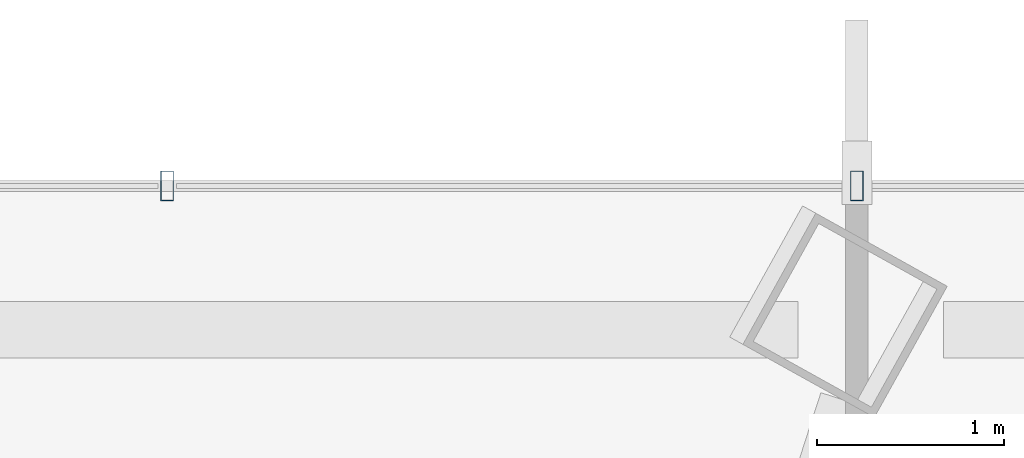
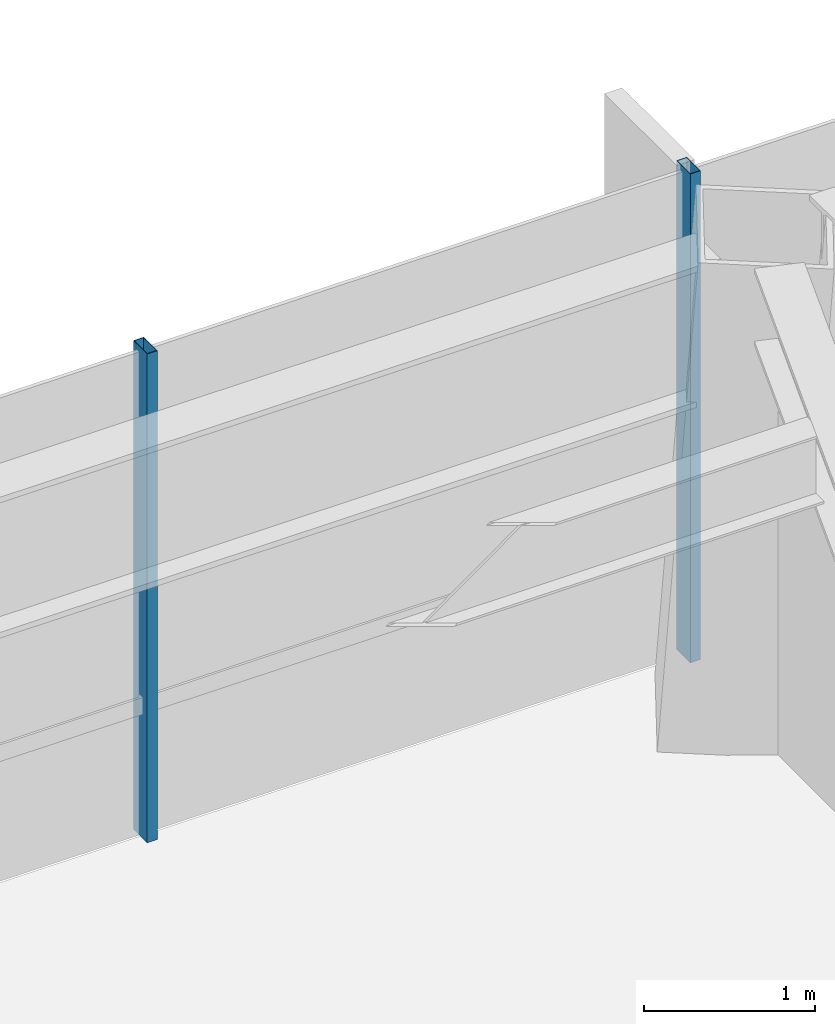
# One storey, part 17 of 30: 2 members, 1 element without a shape of its own.
"""IFC4 building model written with IfcOpenShell, lengths in metres."""

from ifc_helpers import new_model, si_unit, direction, frame, origin, origin_2d, place, context, subcontext, project, spatial, hollow_rectangle, extrude, material, layer, layer_set, material_profile, profile_set, type_object, element, aggregate, save


model = new_model("IFC4")

# Units and contexts
model_context = context("Model", 3, precision=1e-05, world=origin(), true_north=direction((0.0, 1.0)))
body_context = subcontext(model_context, "Body", "Model", "MODEL_VIEW")
ifc_project = project(units=[si_unit("LENGTHUNIT", "METRE"), si_unit("AREAUNIT", "SQUARE_METRE"), si_unit("VOLUMEUNIT", "CUBIC_METRE"), si_unit("PLANEANGLEUNIT", "RADIAN"), si_unit("MASSUNIT", "GRAM", prefix="KILO")], contexts=[model_context])

# Site, building, storey
site_placement = place(None, origin())
site = spatial("IfcSite", under=ifc_project, at=site_placement, CompositionType="ELEMENT")
building_placement = place(site_placement, origin())
building = spatial("IfcBuilding", under=site, at=building_placement, Name="Zarrinselat Tower", CompositionType="ELEMENT")
storey_placement = place(building_placement, frame((0.0, 0.0, 130.89990234375)))
storey = spatial("IfcBuildingStorey", under=building, at=storey_placement, Name="L31", CompositionType="ELEMENT", Elevation=130.89990234375)

# Curtain wall, members
ifc_material_1 = material(Name="Extruded Aluminium Alloy EN AW-6063 T6", Category="aluminium")
ifc_layer = layer(ifc_material_1, 0.175048828125)
ifc_layer_set = layer_set([ifc_layer], Name="Extruded Aluminium Alloy EN AW-6063 T6")
curtain_wall_type = type_object("IfcCurtainWallType", Name="CWS-HTL", PredefinedType="NOTDEFINED", material=ifc_layer_set)
curtain_wall_placement = place(storey_placement, origin())
curtain_wall = element("IfcCurtainWall", 1, at=curtain_wall_placement, inside=storey, type_object=curtain_wall_type, Name="L31 Unitised Curtain Wall CW-L31-E01", PredefinedType="NOTDEFINED")
ifc_material_2 = material(Name="Extruded Aluminium Alloy EN AW-6063 T6", Category="aluminium")
ifc_material_profile = material_profile(ifc_material_2, hollow_rectangle(XDim=0.070068359375, YDim=0.159912109375, WallThickness=0.00390625, at=origin_2d()), Name="RHS 160x70x4")
ifc_profile_set = profile_set([ifc_material_profile], Name="Extruded Aluminium Alloy EN AW-6063 T6")
member_type = type_object("IfcMemberType", Name="MEM-CW-MUL2", PredefinedType="MULLION", material=ifc_profile_set)
member_1_placement = place(storey_placement, frame((47.300048828125, 49.2666015625, 0.0), z_axis=(0.0, 0.0, 1.0), x_axis=(-1.0, 0.0, 0.0)))
member_1 = element("IfcMember", 2, at=member_1_placement, type_object=member_type, Name="CW-L31-E01 Mullion 3", PredefinedType="MULLION", context=body_context, shape_type="SweptSolid", body=[
    extrude(hollow_rectangle(XDim=0.070068359375, YDim=0.159912109375, WallThickness=0.00390625, at=origin_2d()), origin(), (0.0, 0.0, 1.0), 3.5),
])
member_2_placement = place(storey_placement, frame((43.62109375, 49.2666015625, 0.0), z_axis=(0.0, 0.0, 1.0), x_axis=(-1.0, 0.0, 0.0)))
member_2 = element("IfcMember", 3, at=member_2_placement, type_object=member_type, Name="CW-L31-E01 Mullion 4", PredefinedType="MULLION", context=body_context, shape_type="SweptSolid", body=[
    extrude(hollow_rectangle(XDim=0.070068359375, YDim=0.159912109375, WallThickness=0.00390625, at=origin_2d()), origin(), (0.0, 0.0, 1.0), 3.5),
])
aggregate(curtain_wall, [member_1, member_2])

save(model, "model.ifc")
